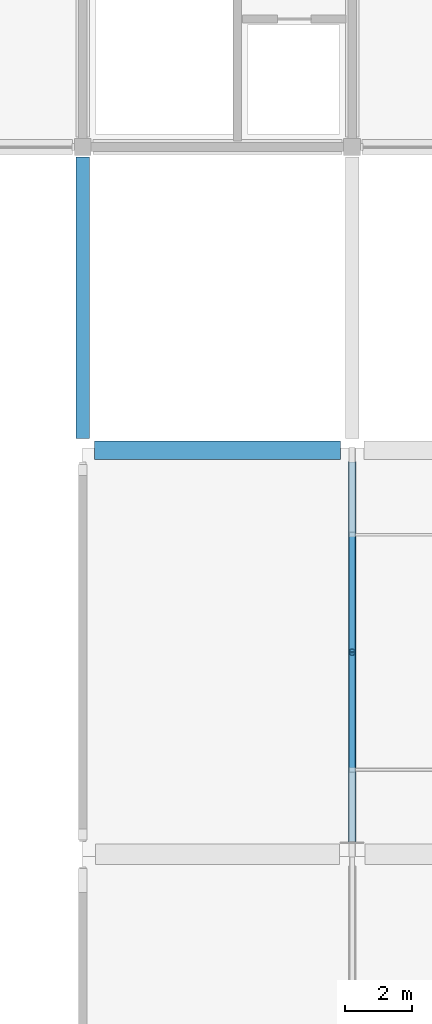
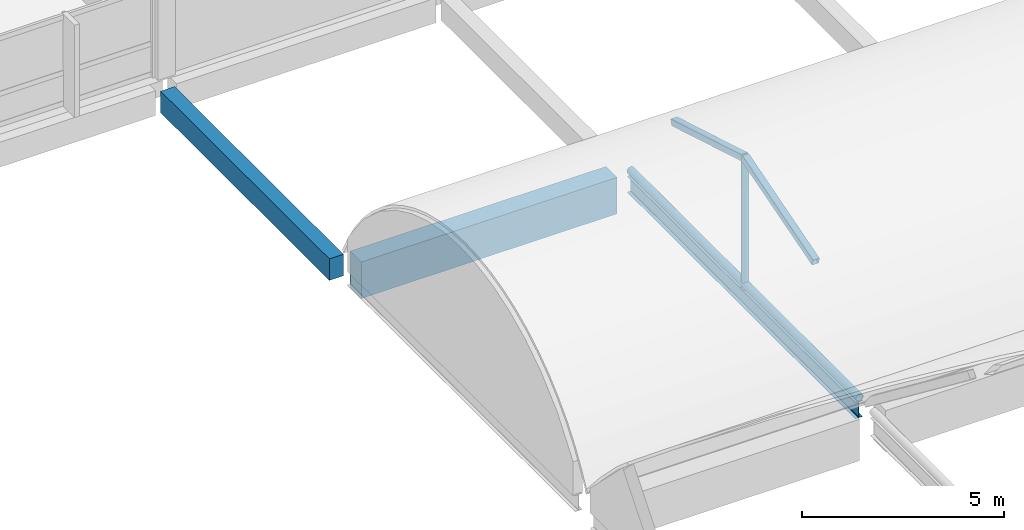
# One storey, part 22 of 57: 4 members, 3 beams.
"""IFC4 building model written with IfcOpenShell, lengths in metres."""

from ifc_helpers import new_model, si_unit, direction, frame, origin, origin_2d, place, context, subcontext, project, spatial, rectangle, hollow_rectangle, hollow_circle, i_section, extrude, material, material_profile, profile_set, type_object, element, save


model = new_model("IFC4")

# Units and contexts
model_context = context("Model", 3, precision=1e-05, world=origin(), true_north=direction((0.0, 1.0)))
body_context = subcontext(model_context, "Body", "Model", "MODEL_VIEW")
ifc_project = project(units=[si_unit("LENGTHUNIT", "METRE"), si_unit("AREAUNIT", "SQUARE_METRE"), si_unit("VOLUMEUNIT", "CUBIC_METRE"), si_unit("PLANEANGLEUNIT", "RADIAN"), si_unit("MASSUNIT", "GRAM", prefix="KILO"), si_unit("THERMODYNAMICTEMPERATUREUNIT", "KELVIN"), si_unit("POWERUNIT", "WATT")], contexts=[model_context])

# Site, building, storey
site_placement = place(None, origin())
site = spatial("IfcSite", under=ifc_project, at=site_placement, CompositionType="ELEMENT")
building_placement = place(site_placement, origin())
building = spatial("IfcBuilding", under=site, at=building_placement, Name="Kronsvod Quay Wholesale Market", CompositionType="ELEMENT")
storey_placement = place(building_placement, frame((0.0, 0.0, 13.199951171875)))
storey = spatial("IfcBuildingStorey", under=building, at=storey_placement, Name="L03", CompositionType="ELEMENT", Elevation=13.199951171875)

# Beams
ifc_material_1 = material(Name="Precast concrete C40/50", Category="concrete")
ifc_material_profile_1 = material_profile(ifc_material_1, rectangle(XDim=0.39990234375, YDim=0.64990234375, at=origin_2d()), Name="PCB400x650")
ifc_profile_set_1 = profile_set([ifc_material_profile_1], Name="Precast concrete C40/50")
beam_type_1 = type_object("IfcBeamType", Name="Beam_PCB400x650", PredefinedType="BEAM", material=ifc_profile_set_1)
beam_1_placement = place(storey_placement, frame((104.0, 90.35009765625, -0.635009765625), z_axis=(0.0, 1.0, 0.0), x_axis=(-1.0, 0.0, 0.0)))
element("IfcBeam", 1, at=beam_1_placement, inside=storey, type_object=beam_type_1, Name="BMY-L03-1040-900", PredefinedType="BEAM", context=body_context, shape_type="SweptSolid", body=[
    extrude(rectangle(XDim=0.39990234375, YDim=0.64990234375, at=origin_2d()), origin(), (0.0, 0.0, 1.0), 8.349853515625),
])
ifc_material_2 = material(Name="Precast concrete C40/50", Category="concrete")
ifc_material_profile_2 = material_profile(ifc_material_2, rectangle(XDim=0.550048828125, YDim=1.10009765625, at=origin_2d()), Name="PCVG550x1100")
ifc_profile_set_2 = profile_set([ifc_material_profile_2], Name="Precast concrete C40/50")
beam_type_2 = type_object("IfcBeamType", Name="Girder_PCVG550x1100", PredefinedType="T_BEAM", material=ifc_profile_set_2)
beam_2_placement = place(storey_placement, frame((104.35009765625, 90.0, -0.77001953125), z_axis=(1.0, 0.0, 0.0), x_axis=(0.0, 1.0, 0.0)))
element("IfcBeam", 2, at=beam_2_placement, inside=storey, type_object=beam_type_2, Name="BMX-L03-1040-900", PredefinedType="T_BEAM", context=body_context, shape_type="SweptSolid", body=[
    extrude(rectangle(XDim=0.550048828125, YDim=1.10009765625, at=origin_2d()), origin(), (0.0, 0.0, 1.0), 7.2998046875),
])
ifc_material_3 = material(Name="Steel S355", Category="steel")
ifc_material_profile_3 = material_profile(ifc_material_3, i_section(OverallWidth=0.198974609375, OverallDepth=0.49609375, WebThickness=0.009033203125, FlangeThickness=0.013916015625, FilletRadius=0.02001953125, at=origin_2d()), Name="50B1")
ifc_profile_set_3 = profile_set([ifc_material_profile_3], Name="Steel S355")
beam_type_3 = type_object("IfcBeamType", Name="Girder_Steel50B1", PredefinedType="T_BEAM", material=ifc_profile_set_3)
beam_3_placement = place(storey_placement, frame((112.0, 78.375, -0.468017578125), z_axis=(0.0, 1.0, 0.0), x_axis=(-1.0, 0.0, 0.0)))
element("IfcBeam", 3, at=beam_3_placement, inside=storey, type_object=beam_type_3, Name="BMY-L03-1120-780", PredefinedType="T_BEAM", context=body_context, shape_type="SweptSolid", body=[
    extrude(i_section(OverallWidth=0.198974609375, OverallDepth=0.49609375, WebThickness=0.009033203125, FlangeThickness=0.013916015625, FilletRadius=0.02001953125, at=origin_2d()), origin(), (0.0, 0.0, 1.0), 11.27490234375),
])

# Members
ifc_material_4 = material(Name="Steel S355", Category="steel")
ifc_material_profile_4 = material_profile(ifc_material_4, hollow_rectangle(XDim=0.199951171875, YDim=0.199951171875, WallThickness=0.010009765625, InnerFilletRadius=0.010009765625, OuterFilletRadius=0.02001953125, at=origin_2d()), Name="RHS200x200x10")
ifc_profile_set_4 = profile_set([ifc_material_profile_4], Name="Steel S355")
member_type_1 = type_object("IfcMemberType", Name="Member_Arch200x200", PredefinedType="RAFTER", material=ifc_profile_set_4)
for number, where, z_axis, x_axis, name in (
    (4, (112.0, 80.509033203125, 2.705322265625), (0.0, 0.95877511068, 0.284165950001), (-1.0, 0.0, 0.0), "ARCG-SH-V2C-N-1120-1"),
    (5, (112.0, 84.0, 3.739990234375), (0.0, 0.95877511068, -0.284165950001), (-1.0, 0.0, 0.0), "ARCG-SH-V2C-N-1120-2"),
):
    element("IfcMember", number, at=place(storey_placement, frame(where, z_axis=z_axis, x_axis=x_axis)), inside=storey, type_object=member_type_1, Name=name, PredefinedType="RAFTER", context=body_context, shape_type="SweptSolid", body=[
        extrude(hollow_rectangle(XDim=0.199951171875, YDim=0.199951171875, WallThickness=0.010009765625, InnerFilletRadius=0.010009765625, OuterFilletRadius=0.02001953125, at=origin_2d()), origin(), (0.0, 0.0, 1.0), 3.64111328125),
    ])
ifc_material_5 = material(Name="Steel S355", Category="steel")
ifc_material_profile_5 = material_profile(ifc_material_5, hollow_circle(Radius=0.096923828125, WallThickness=0.008056640625, at=origin_2d()), Name="CHS194x8")
ifc_profile_set_5 = profile_set([ifc_material_profile_5], Name="Steel S355")
member_type_2 = type_object("IfcMemberType", Name="Member_Brace194x8", PredefinedType="BRACE", material=ifc_profile_set_5)
member_1_placement = place(storey_placement, frame((112.0, 84.0, -0.22998046875), z_axis=(0.0, 0.0, 1.0), x_axis=(1.0, 0.0, 0.0)))
element("IfcMember", 6, at=member_1_placement, inside=storey, type_object=member_type_2, Name="KPST-SH-V2C-N-1120", PredefinedType="BRACE", context=body_context, shape_type="SweptSolid", body=[
    extrude(hollow_circle(Radius=0.096923828125, WallThickness=0.008056640625, at=origin_2d()), origin(), (0.0, 0.0, 1.0), 3.969970703125),
])
ifc_material_6 = material(Name="Steel S355", Category="steel")
ifc_material_profile_6 = material_profile(ifc_material_6, hollow_circle(Radius=0.109619140625, WallThickness=0.010009765625, at=origin_2d()), Name="CHS219x10")
ifc_profile_set_6 = profile_set([ifc_material_profile_6], Name="Steel S355")
member_type_3 = type_object("IfcMemberType", Name="Member_Chord219x10", PredefinedType="CHORD", material=ifc_profile_set_6)
member_2_placement = place(storey_placement, frame((112.0, 78.340087890625, -0.079833984375), z_axis=(0.0, 1.0, 0.0), x_axis=(-1.0, 0.0, 0.0)))
element("IfcMember", 7, at=member_2_placement, inside=storey, type_object=member_type_3, Name="CHDG-SH-V2C-N-1120", PredefinedType="CHORD", context=body_context, shape_type="SweptSolid", body=[
    extrude(hollow_circle(Radius=0.109619140625, WallThickness=0.010009765625, at=origin_2d()), origin(), (0.0, 0.0, 1.0), 11.31982421875),
])

save(model, "model.ifc")
